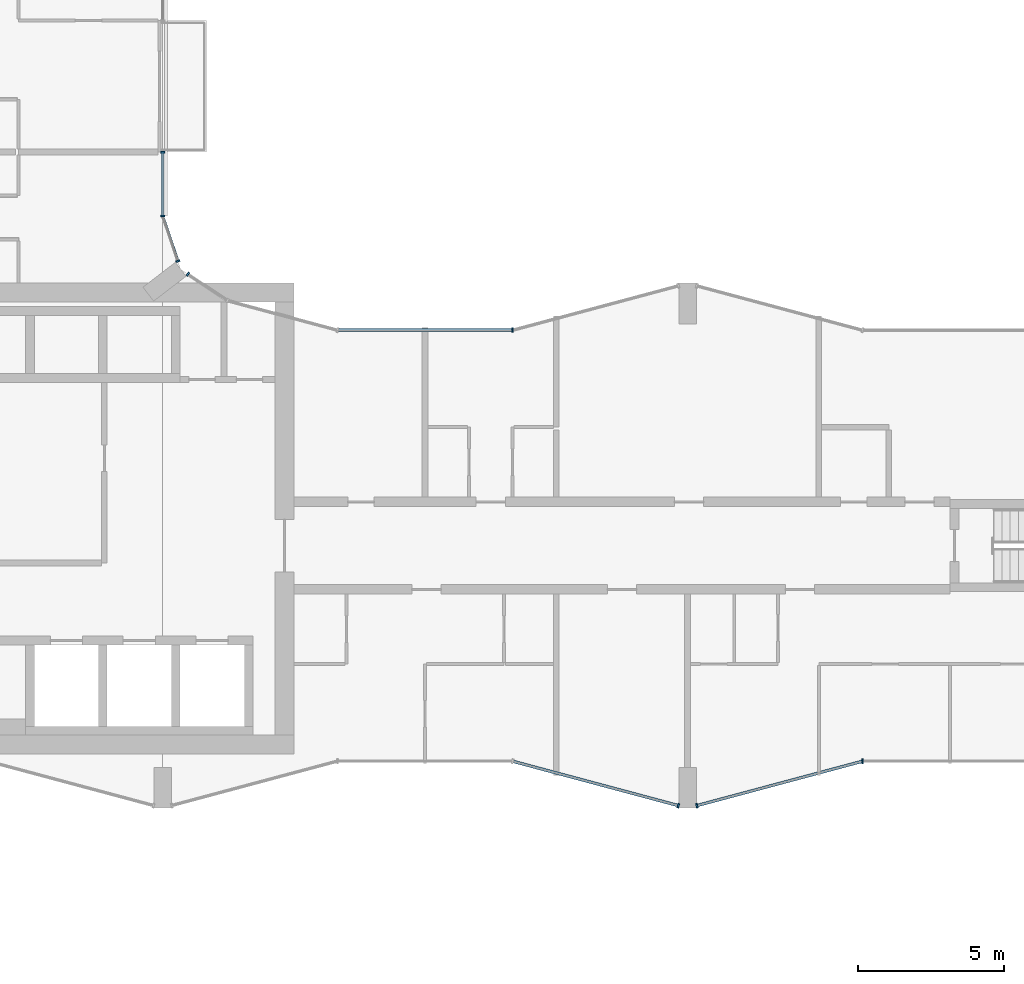
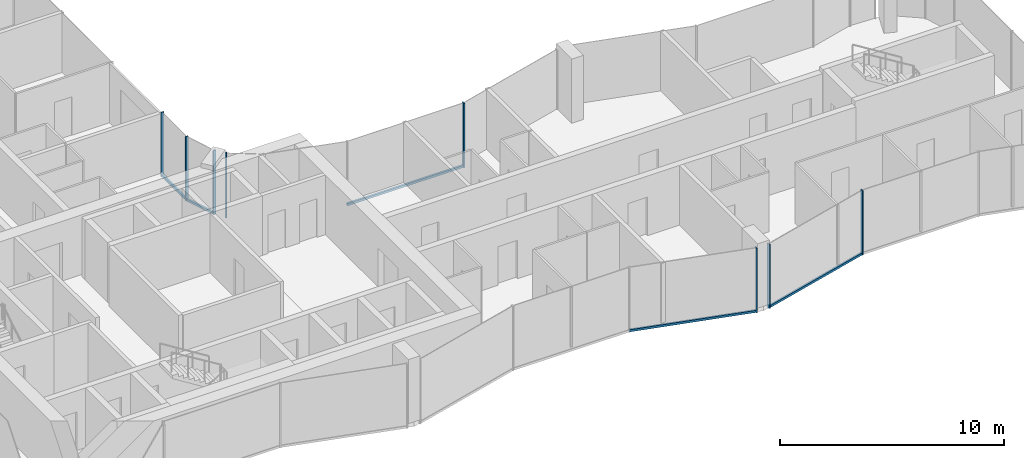
# One storey, part 4 of 22: 13 members, 7 elements without a shape of their own.
"""IFC4 building model written with IfcOpenShell, lengths in metres."""

from ifc_helpers import new_model, si_unit, direction, frame, origin, origin_2d, place, context, subcontext, project, spatial, rectangle, extrude, material, layer, layer_set, material_profile, profile_set, type_object, element, aggregate, save


model = new_model("IFC4")

# Units and contexts
model_context = context("Model", 3, precision=1e-05, world=origin(), true_north=direction((0.0, 1.0)))
body_context = subcontext(model_context, "Body", "Model", "MODEL_VIEW")
ifc_project = project(units=[si_unit("LENGTHUNIT", "METRE"), si_unit("AREAUNIT", "SQUARE_METRE"), si_unit("VOLUMEUNIT", "CUBIC_METRE"), si_unit("PLANEANGLEUNIT", "RADIAN"), si_unit("MASSUNIT", "GRAM", prefix="KILO")], contexts=[model_context])

# Site, building, storey
site_placement = place(None, origin())
site = spatial("IfcSite", under=ifc_project, at=site_placement, CompositionType="ELEMENT")
building_placement = place(site_placement, origin())
building = spatial("IfcBuilding", under=site, at=building_placement, Name="Plateau Cross Towers", CompositionType="ELEMENT")
storey_placement = place(building_placement, frame((0.0, 0.0, 113.300048828125)))
storey = spatial("IfcBuildingStorey", under=building, at=storey_placement, Name="L29", CompositionType="ELEMENT", Elevation=113.300048828125)

# Curtain wall, member
ifc_material_1 = material(Name="Dark low-iron glass", Category="glass")
ifc_layer_1 = layer(ifc_material_1, 0.239990234375)
ifc_layer_set_1 = layer_set([ifc_layer_1], Name="Dark low-iron glass")
curtain_wall_type_1 = type_object("IfcCurtainWallType", Name="Curtain wall flush unitised CW-B", PredefinedType="NOTDEFINED", material=ifc_layer_set_1)
curtain_wall_1_placement = place(storey_placement, origin())
curtain_wall_1 = element("IfcCurtainWall", 1, at=curtain_wall_1_placement, inside=storey, type_object=curtain_wall_type_1, Name="ENV/A/L29/A202_174", PredefinedType="NOTDEFINED")
ifc_material_2 = material(Name="Black anodised aluminium", Category="aluminium")
ifc_material_profile_1 = material_profile(ifc_material_2, rectangle(XDim=0.06005859375, YDim=0.139892578125, at=origin_2d()), Name="MULLION 60x140")
ifc_profile_set_1 = profile_set([ifc_material_profile_1], Name="Black anodised aluminium")
member_type_1 = type_object("IfcMemberType", Name="Mullion 60x140 flush unitised", PredefinedType="MULLION", material=ifc_profile_set_1)
member_1_placement = place(storey_placement, frame((18.86962890625, 18.30908203125, -0.25), z_axis=(0.0, 0.0, 1.0), x_axis=(-0.831521253329, 0.555492938984, 0.0)))
member_1 = element("IfcMember", 2, at=member_1_placement, type_object=member_type_1, Name="CW-B mullion 2", PredefinedType="MULLION", context=body_context, shape_type="SweptSolid", body=[
    extrude(rectangle(XDim=0.06005859375, YDim=0.139892578125, at=origin_2d()), origin(), (0.0, 0.0, 1.0), 3.5),
])
aggregate(curtain_wall_1, [member_1])

curtain_wall_2_placement = place(storey_placement, origin())
curtain_wall_2 = element("IfcCurtainWall", 3, at=curtain_wall_2_placement, inside=storey, type_object=curtain_wall_type_1, Name="ENV/A/L29/A185_188", PredefinedType="NOTDEFINED")
member_2_placement = place(storey_placement, frame((18.523681640625, 18.760009765625, -0.25), z_axis=(0.0, 0.0, 1.0), x_axis=(-0.321469161574, 0.94692004845, 0.0)))
member_2 = element("IfcMember", 4, at=member_2_placement, type_object=member_type_1, Name="CW-B mullion 1", PredefinedType="MULLION", context=body_context, shape_type="SweptSolid", body=[
    extrude(rectangle(XDim=0.06005859375, YDim=0.139892578125, at=origin_2d()), origin(), (0.0, 0.0, 1.0), 3.5),
])

# Curtain wall, members
curtain_wall_3_placement = place(storey_placement, origin())
curtain_wall_3 = element("IfcCurtainWall", 5, at=curtain_wall_3_placement, inside=storey, type_object=curtain_wall_type_1, Name="ENV/A/L29/A180_203", PredefinedType="NOTDEFINED")
member_3_placement = place(storey_placement, frame((18.0, 20.30224609375, -0.25), z_axis=(0.0, 0.0, 1.0), x_axis=(0.0, 1.0, 0.0)))
member_3 = element("IfcMember", 6, at=member_3_placement, type_object=member_type_1, Name="CW-B mullion 1", PredefinedType="MULLION", context=body_context, shape_type="SweptSolid", body=[
    extrude(rectangle(XDim=0.06005859375, YDim=0.139892578125, at=origin_2d()), origin(), (0.0, 0.0, 1.0), 3.5),
])
member_4_placement = place(storey_placement, frame((18.0, 22.489990234375, -0.25), z_axis=(0.0, 0.0, 1.0), x_axis=(0.0, 1.0, 0.0)))
member_4 = element("IfcMember", 7, at=member_4_placement, type_object=member_type_1, Name="CW-B mullion 2", PredefinedType="MULLION", context=body_context, shape_type="SweptSolid", body=[
    extrude(rectangle(XDim=0.06005859375, YDim=0.139892578125, at=origin_2d()), origin(), (0.0, 0.0, 1.0), 3.5),
])

# Curtain wall, member
ifc_layer_2 = layer(ifc_material_1, 0.260009765625)
ifc_layer_set_2 = layer_set([ifc_layer_2], Name="Dark low-iron glass")
curtain_wall_type_2 = type_object("IfcCurtainWallType", Name="Curtain wall fluted unitised CW-A", PredefinedType="NOTDEFINED", material=ifc_layer_set_2)
curtain_wall_4_placement = place(storey_placement, origin())
curtain_wall_4 = element("IfcCurtainWall", 8, at=curtain_wall_4_placement, inside=storey, type_object=curtain_wall_type_2, Name="ENV/A/L29/A300_16", PredefinedType="NOTDEFINED")
ifc_material_profile_2 = material_profile(ifc_material_2, rectangle(XDim=0.06005859375, YDim=0.159912109375, at=origin_2d()), Name="MULLION 60x160")
ifc_profile_set_2 = profile_set([ifc_material_profile_2], Name="Black anodised aluminium")
member_type_2 = type_object("IfcMemberType", Name="Mullion 60x160 fluted unitised", PredefinedType="MULLION", material=ifc_profile_set_2)
member_5_placement = place(storey_placement, frame((35.68212890625, 0.085205078125, -0.25), z_axis=(0.0, 0.0, 1.0), x_axis=(0.965957983404, -0.258699003279, 0.0)))
member_5 = element("IfcMember", 9, at=member_5_placement, type_object=member_type_2, Name="CW-A mullion 2", PredefinedType="MULLION", context=body_context, shape_type="SweptSolid", body=[
    extrude(rectangle(XDim=0.06005859375, YDim=0.159912109375, at=origin_2d()), origin(), (0.0, 0.0, 1.0), 3.5),
])

curtain_wall_5_placement = place(storey_placement, origin())
curtain_wall_5 = element("IfcCurtainWall", 10, at=curtain_wall_5_placement, inside=storey, type_object=curtain_wall_type_2, Name="ENV/A/L29/A363_1", PredefinedType="NOTDEFINED")
member_6_placement = place(storey_placement, frame((36.31787109375, 0.085205078125, -0.25), z_axis=(0.0, 0.0, 1.0), x_axis=(0.965957983404, 0.258699003279, 0.0)))
member_6 = element("IfcMember", 11, at=member_6_placement, type_object=member_type_2, Name="CW-A mullion 1", PredefinedType="MULLION", context=body_context, shape_type="SweptSolid", body=[
    extrude(rectangle(XDim=0.06005859375, YDim=0.159912109375, at=origin_2d()), origin(), (0.0, 0.0, 1.0), 3.5),
])

curtain_wall_6_placement = place(storey_placement, origin())
curtain_wall_6 = element("IfcCurtainWall", 12, at=curtain_wall_6_placement, inside=storey, type_object=curtain_wall_type_2, Name="ENV/A/L29/A420_16", PredefinedType="NOTDEFINED")
member_7_placement = place(storey_placement, frame((42.0, 1.60693359375, -0.25), z_axis=(0.0, 0.0, 1.0), x_axis=(1.0, 0.0, 0.0)))
member_7 = element("IfcMember", 13, at=member_7_placement, type_object=member_type_2, Name="CW-A mullion 1", PredefinedType="MULLION", context=body_context, shape_type="SweptSolid", body=[
    extrude(rectangle(XDim=0.06005859375, YDim=0.159912109375, at=origin_2d()), origin(), (0.0, 0.0, 1.0), 3.5),
])
aggregate(curtain_wall_6, [member_7])

curtain_wall_7_placement = place(storey_placement, origin())
curtain_wall_7 = element("IfcCurtainWall", 14, at=curtain_wall_7_placement, inside=storey, type_object=curtain_wall_type_2, Name="ENV/A/L29/A300_164", PredefinedType="NOTDEFINED")
member_8_placement = place(storey_placement, frame((30.0, 16.39306640625, -0.25), z_axis=(0.0, 0.0, 1.0), x_axis=(-1.0, 0.0, 0.0)))
member_8 = element("IfcMember", 15, at=member_8_placement, type_object=member_type_2, Name="CW-A mullion 1", PredefinedType="MULLION", context=body_context, shape_type="SweptSolid", body=[
    extrude(rectangle(XDim=0.06005859375, YDim=0.159912109375, at=origin_2d()), origin(), (0.0, 0.0, 1.0), 3.5),
])

# Member
ifc_material_profile_3 = material_profile(ifc_material_2, rectangle(XDim=0.10009765625, YDim=0.1201171875, at=origin_2d()), Name="TRANSOM 100x120")
ifc_profile_set_3 = profile_set([ifc_material_profile_3], Name="Black anodised aluminium")
member_type_3 = type_object("IfcMemberType", Name="Transom 100x120 flush unitised", PredefinedType="USERDEFINED", material=ifc_profile_set_3)
member_9_placement = place(storey_placement, frame((18.523681640625, 18.760009765625, -0.18994140625), z_axis=(-0.321529174838, 0.946899672472, 0.0), x_axis=(-0.946899672472, -0.321529174838, 0.0)))
member_9 = element("IfcMember", 16, at=member_9_placement, type_object=member_type_3, Name="CW-B transom", ObjectType="TRANSOM", PredefinedType="USERDEFINED", context=body_context, shape_type="SweptSolid", body=[
    extrude(rectangle(XDim=0.10009765625, YDim=0.1201171875, at=origin_2d()), origin(), (0.0, 0.0, 1.0), 1.628662109375),
])

aggregate(curtain_wall_2, [member_2, member_9])

member_10_placement = place(storey_placement, frame((18.0, 20.30224609375, -0.18994140625), z_axis=(0.0, 1.0, 0.0), x_axis=(-1.0, 0.0, 0.0)))
member_10 = element("IfcMember", 17, at=member_10_placement, type_object=member_type_3, Name="CW-B transom", ObjectType="TRANSOM", PredefinedType="USERDEFINED", context=body_context, shape_type="SweptSolid", body=[
    extrude(rectangle(XDim=0.10009765625, YDim=0.1201171875, at=origin_2d()), origin(), (0.0, 0.0, 1.0), 2.187744140625),
])

aggregate(curtain_wall_3, [member_3, member_4, member_10])

ifc_material_profile_4 = material_profile(ifc_material_2, rectangle(XDim=0.10009765625, YDim=0.1201171875, at=origin_2d()), Name="TRANSOM 100x120")
ifc_profile_set_4 = profile_set([ifc_material_profile_4], Name="Black anodised aluminium")
member_type_4 = type_object("IfcMemberType", Name="Transom 100x120 fluted unitised", PredefinedType="USERDEFINED", material=ifc_profile_set_4)
member_11_placement = place(storey_placement, frame((30.0, 1.60693359375, -0.18994140625), z_axis=(0.965959534794, -0.258693210465, 0.0), x_axis=(0.258693210465, 0.965959534794, 0.0)))
member_11 = element("IfcMember", 18, at=member_11_placement, type_object=member_type_4, Name="CW-A transom", ObjectType="TRANSOM", PredefinedType="USERDEFINED", context=body_context, shape_type="SweptSolid", body=[
    extrude(rectangle(XDim=0.10009765625, YDim=0.1201171875, at=origin_2d()), origin(), (0.0, 0.0, 1.0), 5.88232421875),
])

aggregate(curtain_wall_4, [member_5, member_11])

member_12_placement = place(storey_placement, frame((36.31787109375, 0.085205078125, -0.18994140625), z_axis=(0.965959534794, 0.258693210465, 0.0), x_axis=(-0.258693210465, 0.965959534794, 0.0)))
member_12 = element("IfcMember", 19, at=member_12_placement, type_object=member_type_4, Name="CW-A transom", ObjectType="TRANSOM", PredefinedType="USERDEFINED", context=body_context, shape_type="SweptSolid", body=[
    extrude(rectangle(XDim=0.10009765625, YDim=0.1201171875, at=origin_2d()), origin(), (0.0, 0.0, 1.0), 5.88232421875),
])

aggregate(curtain_wall_5, [member_6, member_12])

member_13_placement = place(storey_placement, frame((30.0, 16.39306640625, -0.18994140625), z_axis=(-1.0, 0.0, 0.0), x_axis=(0.0, -1.0, 0.0)))
member_13 = element("IfcMember", 20, at=member_13_placement, type_object=member_type_4, Name="CW-A transom", ObjectType="TRANSOM", PredefinedType="USERDEFINED", context=body_context, shape_type="SweptSolid", body=[
    extrude(rectangle(XDim=0.10009765625, YDim=0.1201171875, at=origin_2d()), origin(), (0.0, 0.0, 1.0), 6.0),
])

aggregate(curtain_wall_7, [member_8, member_13])

save(model, "model.ifc")
